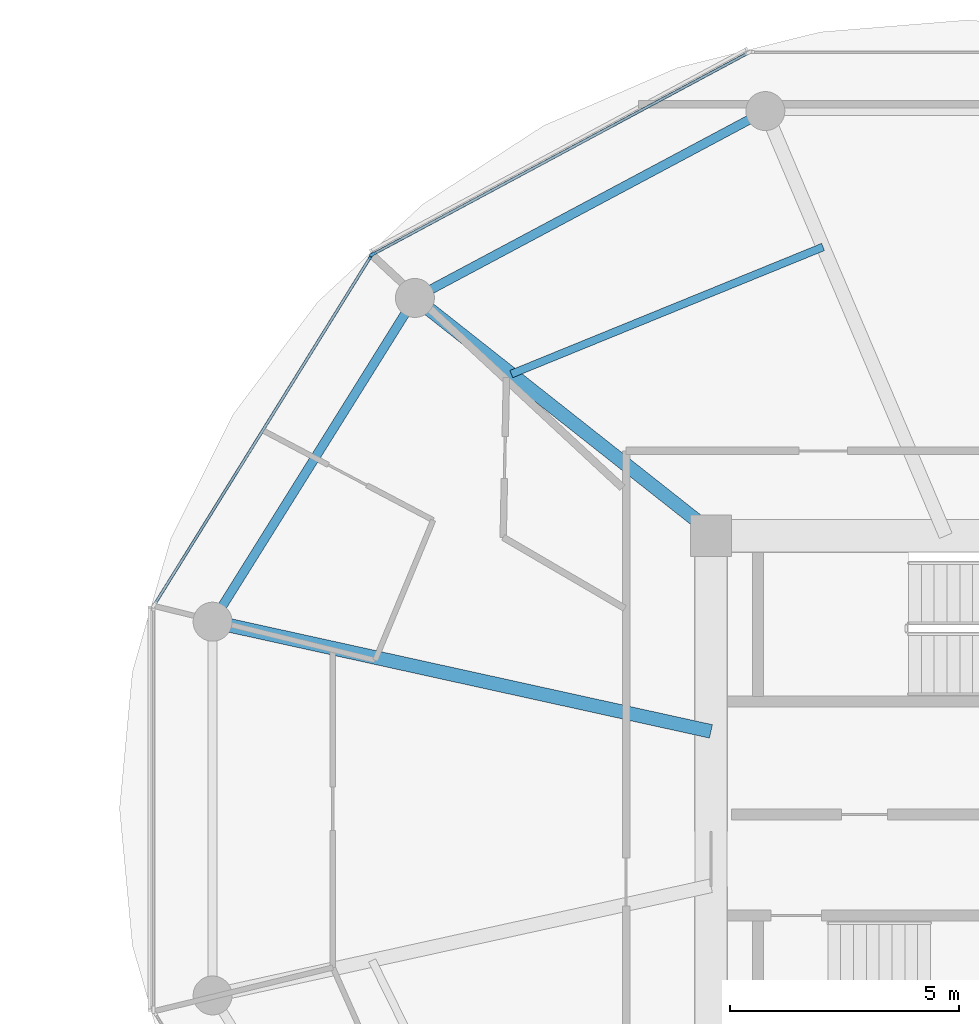
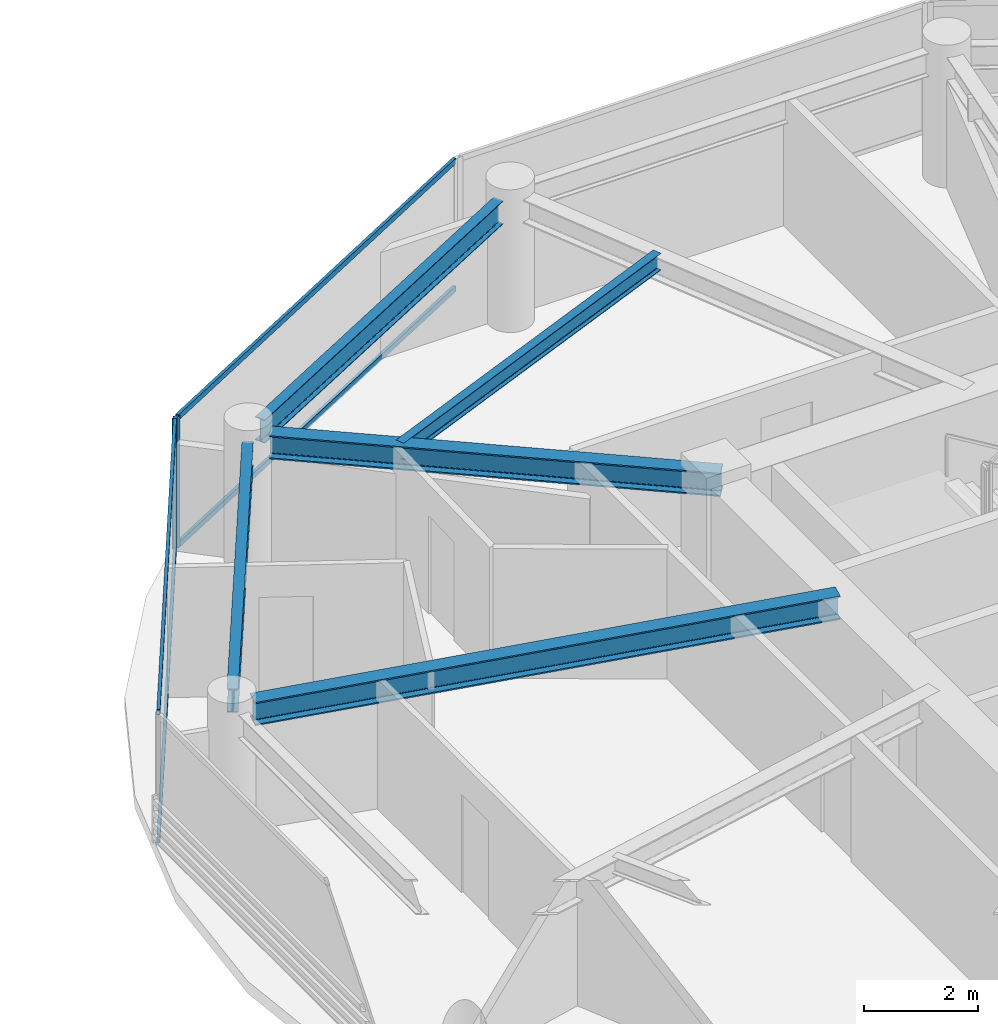
# One storey, part 8 of 22: 6 members, 5 beams, 2 elements without a shape of their own.
"""IFC4 building model written with IfcOpenShell, lengths in metres."""

from ifc_helpers import new_model, si_unit, direction, frame, origin, origin_2d, place, context, subcontext, project, spatial, rectangle, i_section, extrude, source, transform, mapped, material, layer, layer_set, material_profile, profile_set, type_object, type_shapes, element, aggregate, save


model = new_model("IFC4")

# Units and contexts
model_context = context("Model", 3, precision=1e-05, world=origin(), true_north=direction((0.0, 1.0)))
body_context = subcontext(model_context, "Body", "Model", "MODEL_VIEW")
ifc_project = project(units=[si_unit("LENGTHUNIT", "METRE"), si_unit("AREAUNIT", "SQUARE_METRE"), si_unit("VOLUMEUNIT", "CUBIC_METRE"), si_unit("PLANEANGLEUNIT", "RADIAN"), si_unit("MASSUNIT", "GRAM", prefix="KILO")], contexts=[model_context])

# Site, building, storey
site_placement = place(None, origin())
site = spatial("IfcSite", under=ifc_project, at=site_placement, CompositionType="ELEMENT")
building_placement = place(site_placement, origin())
building = spatial("IfcBuilding", under=site, at=building_placement, Name="Norrkilde Senior Care Towers", CompositionType="ELEMENT")
storey_placement = place(building_placement, frame((0.0, 0.0, 96.25)))
storey = spatial("IfcBuildingStorey", under=building, at=storey_placement, Name="L29", CompositionType="ELEMENT", Elevation=96.25)

# Beams
ifc_material_1 = material(Name="Steel S355", Category="steel")
ifc_material_profile_1 = material_profile(ifc_material_1, i_section(OverallWidth=0.199951171875, OverallDepth=0.5, WebThickness=0.01025390625, FlangeThickness=0.01611328125, FilletRadius=0.02099609375, at=origin_2d()), Name="IPE 500")
ifc_profile_set_1 = profile_set([ifc_material_profile_1], Name="Steel S355")
beam_type_1 = type_object("IfcBeamType", Name="Perimeter Ring Spandrel Z2 IPE500", PredefinedType="SPANDREL", material=ifc_profile_set_1)
shared_shape_1 = source(origin(), body_context, "Body", "SweptSolid", [
    extrude(i_section(OverallWidth=0.199951171875, OverallDepth=0.5, WebThickness=0.01025390625, FlangeThickness=0.01611328125, FilletRadius=0.02099609375, at=origin_2d()), origin(), (0.0, 0.0, 1.0), 7.55615234375),
])
beam_1_placement = place(storey_placement, frame((13.689697265625, 10.810546875, 2.5400390625), z_axis=(-0.529981514254, -0.848009194849, 0.0), x_axis=(0.848009194849, -0.529981514254, 0.0)))
element("IfcBeam", 1, at=beam_1_placement, inside=storey, type_object=beam_type_1, Name="L29 Drum E Perimeter Spandrel 05", PredefinedType="SPANDREL", context=body_context, shape_type="MappedRepresentation", body=[
    mapped(shared_shape_1, transform((0.0, 0.0, 0.0), x_axis=(1.0, 0.0, 0.0), y_axis=(0.0, 1.0, 0.0), z_axis=(0.0, 0.0, 1.0), scale=1.0)),
])
ifc_material_profile_2 = material_profile(ifc_material_1, i_section(OverallWidth=0.300048828125, OverallDepth=0.5, WebThickness=0.014404296875, FlangeThickness=0.028076171875, FilletRadius=0.027099609375, at=origin_2d()), Name="HEB 500")
ifc_profile_set_2 = profile_set([ifc_material_profile_2], Name="Steel S355")
beam_type_2 = type_object("IfcBeamType", Name="Radial Floor Beam Z2 HEB500", PredefinedType="BEAM", material=ifc_profile_set_2)
shared_shape_2 = source(origin(), body_context, "Body", "SweptSolid", [
    extrude(i_section(OverallWidth=0.300048828125, OverallDepth=0.5, WebThickness=0.014404296875, FlangeThickness=0.028076171875, FilletRadius=0.027099609375, at=origin_2d()), origin(), (0.0, 0.0, 1.0), 10.744384765625),
])
beam_2_placement = place(storey_placement, frame((20.35009765625, 1.683837890625, 2.5400390625), z_axis=(-0.976618711422, 0.214978818724, 0.0), x_axis=(-0.214978818724, -0.976618711422, 0.0)))
element("IfcBeam", 2, at=beam_2_placement, inside=storey, type_object=beam_type_2, Name="L29 Drum E Radial Floor Beam 06", PredefinedType="BEAM", context=body_context, shape_type="MappedRepresentation", body=[
    mapped(shared_shape_2, transform((0.0, 0.0, 0.0), x_axis=(1.0, 0.0, 0.0), y_axis=(0.0, 1.0, 0.0), z_axis=(0.0, 0.0, 1.0), scale=1.0)),
])
shared_shape_3 = source(origin(), body_context, "Body", "SweptSolid", [
    extrude(i_section(OverallWidth=0.199951171875, OverallDepth=0.5, WebThickness=0.01025390625, FlangeThickness=0.01611328125, FilletRadius=0.02099609375, at=origin_2d()), origin(), (0.0, 0.0, 1.0), 7.892333984375),
])
type_shapes(beam_type_1, [shared_shape_1, shared_shape_3])
beam_3_placement = place(storey_placement, frame((21.197509765625, 15.0322265625, 2.5400390625), z_axis=(-0.882350372282, -0.47059305194, 0.0), x_axis=(0.47059305194, -0.882350372282, 0.0)))
element("IfcBeam", 3, at=beam_3_placement, inside=storey, type_object=beam_type_1, Name="L29 Drum E Perimeter Spandrel 04", PredefinedType="SPANDREL", context=body_context, shape_type="MappedRepresentation", body=[
    mapped(shared_shape_3, transform((0.0, 0.0, 0.0), x_axis=(1.0, 0.0, 0.0), y_axis=(0.0, 1.0, 0.0), z_axis=(0.0, 0.0, 1.0), scale=1.0)),
])
shared_shape_4 = source(origin(), body_context, "Body", "SweptSolid", [
    extrude(i_section(OverallWidth=0.300048828125, OverallDepth=0.5, WebThickness=0.014404296875, FlangeThickness=0.028076171875, FilletRadius=0.027099609375, at=origin_2d()), origin(), (0.0, 0.0, 1.0), 7.985595703125),
])
type_shapes(beam_type_2, [shared_shape_2, shared_shape_4])
beam_4_placement = place(storey_placement, frame((20.463623046875, 5.949951171875, 2.5400390625), z_axis=(-0.784858505144, 0.619675017169, 0.0), x_axis=(-0.619675017169, -0.784858505144, 0.0)))
element("IfcBeam", 4, at=beam_4_placement, inside=storey, type_object=beam_type_2, Name="L29 Drum E Radial Floor Beam 05", PredefinedType="BEAM", context=body_context, shape_type="MappedRepresentation", body=[
    mapped(shared_shape_4, transform((0.0, 0.0, 0.0), x_axis=(1.0, 0.0, 0.0), y_axis=(0.0, 1.0, 0.0), z_axis=(0.0, 0.0, 1.0), scale=1.0)),
])
ifc_material_profile_3 = material_profile(ifc_material_1, i_section(OverallWidth=0.169921875, OverallDepth=0.360107421875, WebThickness=0.008056640625, FlangeThickness=0.0126953125, FilletRadius=0.01806640625, at=origin_2d()), Name="IPE 360")
ifc_profile_set_3 = profile_set([ifc_material_profile_3], Name="Steel S355")
beam_type_3 = type_object("IfcBeamType", Name="Secondary Floor Joist IPE360", PredefinedType="JOIST", material=ifc_profile_set_3)
shared_shape_5 = source(origin(), body_context, "Body", "SweptSolid", [
    extrude(i_section(OverallWidth=0.169921875, OverallDepth=0.360107421875, WebThickness=0.008056640625, FlangeThickness=0.0126953125, FilletRadius=0.01806640625, at=origin_2d()), origin(), (0.0, 0.0, 1.0), 7.343505859375),
])
type_shapes(beam_type_3, [shared_shape_5])
beam_5_placement = place(storey_placement, frame((22.79638671875, 12.2490234375, 2.610107421875), z_axis=(-0.926021784767, -0.377470070519, 0.0), x_axis=(0.377470070519, -0.926021784767, 0.0)))
element("IfcBeam", 5, at=beam_5_placement, inside=storey, type_object=beam_type_3, Name="L29 Drum E Secondary Floor Joist 2", PredefinedType="JOIST", context=body_context, shape_type="MappedRepresentation", body=[
    mapped(shared_shape_5, transform((0.0, 0.0, 0.0), x_axis=(1.0, 0.0, 0.0), y_axis=(0.0, 1.0, 0.0), z_axis=(0.0, 0.0, 1.0), scale=1.0)),
])

# Curtain wall, member
ifc_material_2 = material(Name="Triple Low-E Insulated Glazing", Category="glass")
ifc_layer = layer(ifc_material_2, 0.195068359375)
ifc_layer_set = layer_set([ifc_layer], Name="Triple Low-E Insulated Glazing")
curtain_wall_type = type_object("IfcCurtainWallType", Name="CW3 Zone 2 Assisted Living Curtain Wall", PredefinedType="NOTDEFINED", material=ifc_layer_set)
curtain_wall_1_placement = place(storey_placement, origin())
curtain_wall_1 = element("IfcCurtainWall", 6, at=curtain_wall_1_placement, inside=storey, type_object=curtain_wall_type, Name="L29 Drum E Curtain Wall 03", PredefinedType="NOTDEFINED")
ifc_material_3 = material(Name="Anodised Aluminium", Category="aluminium")
ifc_material_profile_4 = material_profile(ifc_material_3, rectangle(XDim=0.06494140625, YDim=0.159912109375, at=origin_2d()), Name="ALU MULL 65x160")
ifc_profile_set_4 = profile_set([ifc_material_profile_4], Name="Anodised Aluminium")
member_type_1 = type_object("IfcMemberType", Name="Curtain Wall Mullion Z1-Z2 65x160", PredefinedType="MULLION", material=ifc_profile_set_4)
shared_shape_6 = source(origin(), body_context, "Body", "SweptSolid", [
    extrude(rectangle(XDim=0.06494140625, YDim=0.159912109375, at=origin_2d()), origin(), (0.0, 0.0, 1.0), 2.7900390625),
])
type_shapes(member_type_1, [shared_shape_6])
member_1_placement = place(storey_placement, frame((12.98193359375, 12.0927734375, 0.0), z_axis=(0.0, 0.0, 1.0), x_axis=(-0.472769402511, 0.881186184668, 0.0)))
member_1 = element("IfcMember", 7, at=member_1_placement, type_object=member_type_1, Name="CW-3 mullion 1", PredefinedType="MULLION", context=body_context, shape_type="MappedRepresentation", body=[
    mapped(shared_shape_6, transform((0.0, 0.0, 0.0), x_axis=(1.0, 0.0, 0.0), y_axis=(0.0, 1.0, 0.0), z_axis=(0.0, 0.0, 1.0), scale=1.0)),
])

# Curtain wall, members
curtain_wall_2_placement = place(storey_placement, origin())
curtain_wall_2 = element("IfcCurtainWall", 8, at=curtain_wall_2_placement, inside=storey, type_object=curtain_wall_type, Name="L29 Drum E Curtain Wall 04", PredefinedType="NOTDEFINED")
member_2_placement = place(storey_placement, frame((12.936279296875, 12.0498046875, 0.0), z_axis=(0.0, 0.0, 1.0), x_axis=(-0.849410171862, 0.527733228002, 0.0)))
member_2 = element("IfcMember", 9, at=member_2_placement, type_object=member_type_1, Name="CW-3 mullion 2", PredefinedType="MULLION", context=body_context, shape_type="MappedRepresentation", body=[
    mapped(shared_shape_6, transform((0.0, 0.0, 0.0), x_axis=(1.0, 0.0, 0.0), y_axis=(0.0, 1.0, 0.0), z_axis=(0.0, 0.0, 1.0), scale=1.0)),
])
ifc_material_profile_5 = material_profile(ifc_material_3, rectangle(XDim=0.06005859375, YDim=0.1201171875, at=origin_2d()), Name="ALU TRAN 60x120")
ifc_profile_set_5 = profile_set([ifc_material_profile_5], Name="Anodised Aluminium")
member_type_2 = type_object("IfcMemberType", Name="Curtain Wall Transom Typical 60x120", PredefinedType="USERDEFINED", material=ifc_profile_set_5)
shared_shape_7 = source(origin(), body_context, "Body", "SweptSolid", [
    extrude(rectangle(XDim=0.06005859375, YDim=0.1201171875, at=origin_2d()), origin(), (0.0, 0.0, 1.0), 8.88427734375),
])
member_3_placement = place(storey_placement, frame((8.23046875, 4.475830078125, 0.030029296875), z_axis=(0.527749293309, 0.849400190377, 0.0), x_axis=(-0.849400190377, 0.527749293309, 0.0)))
member_3 = element("IfcMember", 10, at=member_3_placement, type_object=member_type_2, Name="CW-3 transom 1.1", ObjectType="TRANSOM", PredefinedType="USERDEFINED", context=body_context, shape_type="MappedRepresentation", body=[
    mapped(shared_shape_7, transform((0.0, 0.0, 0.0), x_axis=(1.0, 0.0, 0.0), y_axis=(0.0, 1.0, 0.0), z_axis=(0.0, 0.0, 1.0), scale=1.0)),
])
member_4_placement = place(storey_placement, frame((8.23046875, 4.475830078125, 2.760009765625), z_axis=(0.527749293309, 0.849400190377, 0.0), x_axis=(-0.849400190377, 0.527749293309, 0.0)))
member_4 = element("IfcMember", 11, at=member_4_placement, type_object=member_type_2, Name="CW-3 transom 1.2", ObjectType="TRANSOM", PredefinedType="USERDEFINED", context=body_context, shape_type="MappedRepresentation", body=[
    mapped(shared_shape_7, transform((0.0, 0.0, 0.0), x_axis=(1.0, 0.0, 0.0), y_axis=(0.0, 1.0, 0.0), z_axis=(0.0, 0.0, 1.0), scale=1.0)),
])
aggregate(curtain_wall_2, [member_2, member_3, member_4])

# Member
shared_shape_8 = source(origin(), body_context, "Body", "SweptSolid", [
    extrude(rectangle(XDim=0.06005859375, YDim=0.1201171875, at=origin_2d()), origin(), (0.0, 0.0, 1.0), 9.220458984375),
])
type_shapes(member_type_2, [shared_shape_7, shared_shape_8])
member_5_placement = place(storey_placement, frame((13.0107421875, 12.108154296875, 0.030029296875), z_axis=(0.881188517866, 0.472765053681, 0.0), x_axis=(-0.472765053681, 0.881188517866, 0.0)))
member_5 = element("IfcMember", 12, at=member_5_placement, type_object=member_type_2, Name="CW-3 transom 1.1", ObjectType="TRANSOM", PredefinedType="USERDEFINED", context=body_context, shape_type="MappedRepresentation", body=[
    mapped(shared_shape_8, transform((0.0, 0.0, 0.0), x_axis=(1.0, 0.0, 0.0), y_axis=(0.0, 1.0, 0.0), z_axis=(0.0, 0.0, 1.0), scale=1.0)),
])

member_6_placement = place(storey_placement, frame((13.0107421875, 12.108154296875, 2.760009765625), z_axis=(0.881188517866, 0.472765053681, 0.0), x_axis=(-0.472765053681, 0.881188517866, 0.0)))
member_6 = element("IfcMember", 13, at=member_6_placement, type_object=member_type_2, Name="CW-3 transom 1.2", ObjectType="TRANSOM", PredefinedType="USERDEFINED", context=body_context, shape_type="MappedRepresentation", body=[
    mapped(shared_shape_8, transform((0.0, 0.0, 0.0), x_axis=(1.0, 0.0, 0.0), y_axis=(0.0, 1.0, 0.0), z_axis=(0.0, 0.0, 1.0), scale=1.0)),
])

aggregate(curtain_wall_1, [member_1, member_5, member_6])

save(model, "model.ifc")
